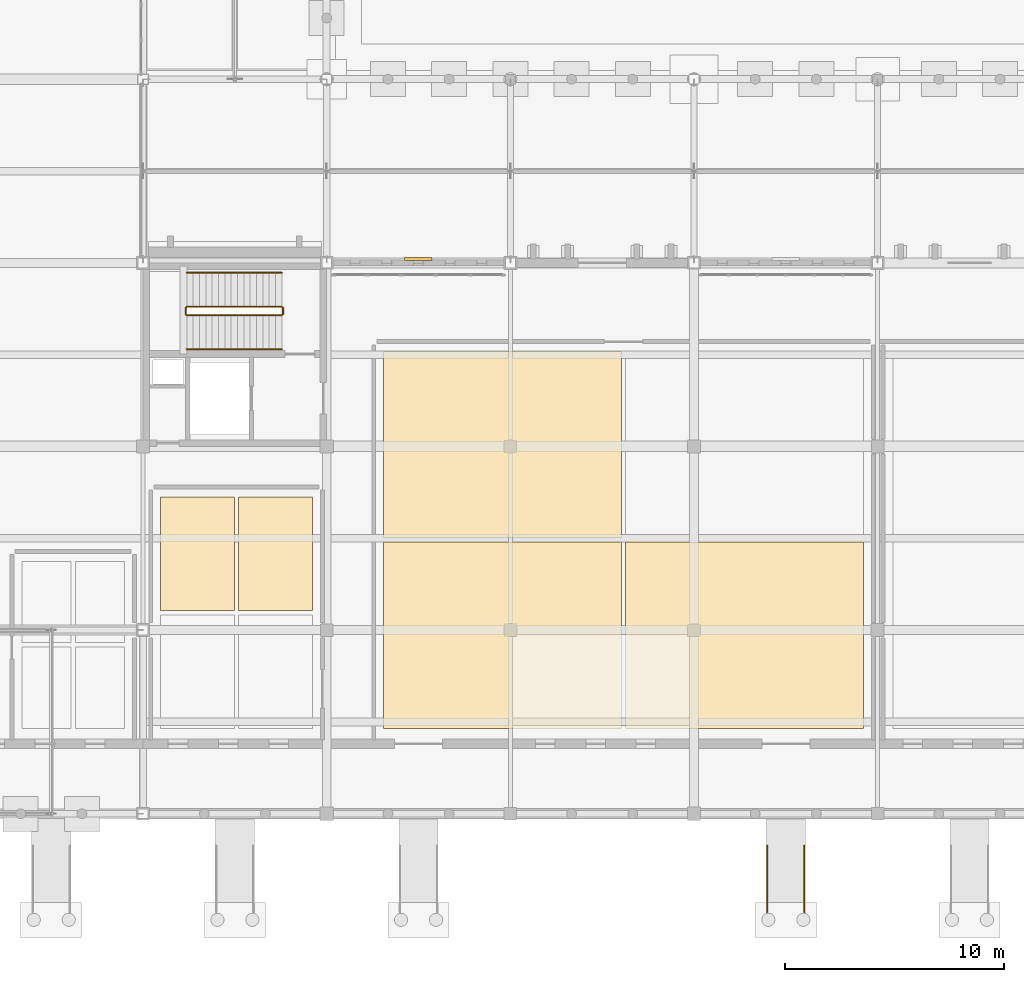
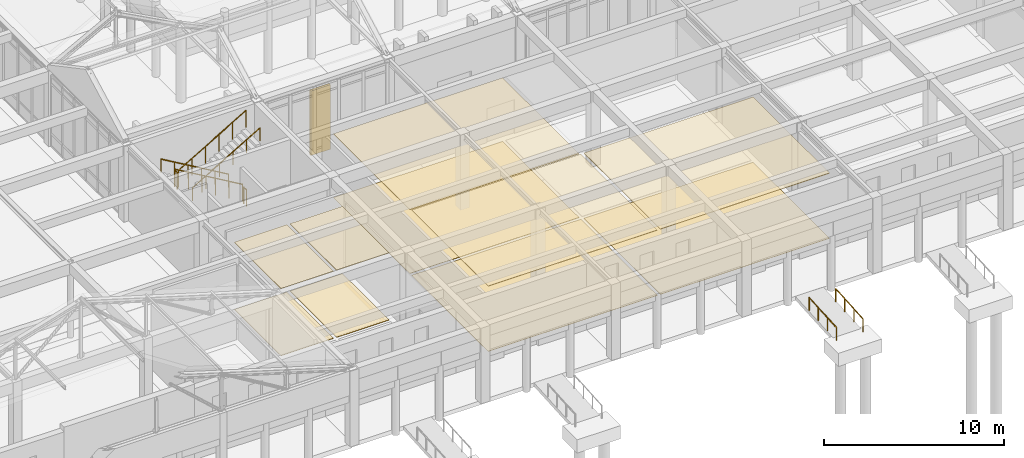
# One storey, part 133 of 143: 10 coverings, 8 railings, 1 shading device.
"""IFC4 building model written with IfcOpenShell, lengths in metres."""

from ifc_helpers import new_model, si_unit, direction, frame, origin, origin_2d, place, context, subcontext, project, spatial, rectangle, circle, extrude, material, layer, layer_set, type_object, element, save


model = new_model("IFC4")

# Units and contexts
model_context = context("Model", 3, precision=1e-05, world=origin(), true_north=direction((0.0, 1.0)))
body_context = subcontext(model_context, "Body", "Model", "MODEL_VIEW")
ifc_project = project(units=[si_unit("LENGTHUNIT", "METRE"), si_unit("AREAUNIT", "SQUARE_METRE"), si_unit("VOLUMEUNIT", "CUBIC_METRE"), si_unit("PLANEANGLEUNIT", "RADIAN"), si_unit("MASSUNIT", "GRAM", prefix="KILO")], contexts=[model_context])

# Site, building, storey
site_placement = place(None, origin())
site = spatial("IfcSite", under=ifc_project, at=site_placement, CompositionType="ELEMENT")
building_placement = place(site_placement, origin())
building = spatial("IfcBuilding", under=site, at=building_placement, Name="Kveldsbrygga Polytechnic", CompositionType="ELEMENT")
storey_placement = place(building_placement, origin())
storey = spatial("IfcBuildingStorey", under=building, at=storey_placement, Name="L00", CompositionType="ELEMENT", Elevation=0.0)

# Coverings
ifc_material_1 = material(Name="Acoustic oak timber slat ceiling", Category="wood")
ifc_layer_1 = layer(ifc_material_1, 0.0400390625)
ifc_layer_set_1 = layer_set([ifc_layer_1], Name="Acoustic oak timber slat ceiling")
covering_type_1 = type_object("IfcCoveringType", Name="COV-CEIL-WD40", PredefinedType="CEILING", material=ifc_layer_set_1)
for number, where, z_axis, x_axis, name in (
    (1, (78.08740234375, 11.89990234375, 4.550048828125), (0.0, 0.0, 1.0), (1.0, 0.0, 0.0), "Acoustic Ceiling SP-L00-REFECW-WN"),
    (2, (81.66259765625, 11.89990234375, 4.550048828125), (0.0, 0.0, 1.0), (1.0, 0.0, 0.0), "Acoustic Ceiling SP-L00-REFECW-EN"),
):
    element("IfcCovering", number, at=place(storey_placement, frame(where, z_axis=z_axis, x_axis=x_axis)), inside=storey, type_object=covering_type_1, Name=name, PredefinedType="CEILING", context=body_context, shape_type="SweptSolid", body=[
        extrude(rectangle(XDim=3.375, YDim=5.199951171875, at=origin_2d()), origin(), (0.0, 0.0, 1.0), 0.0400390625),
    ])
for number, where, z_axis, x_axis, name in (
    (3, (92.03759765625, 8.16259765625, 4.419921875), (0.0, 0.0, 1.0), (1.0, 0.0, 0.0), "Acoustic Ceiling SP-L00-REFEC-WS"),
    (4, (92.03759765625, 16.887451171875, 4.320068359375), (0.0, 0.0, 1.0), (1.0, 0.0, 0.0), "Acoustic Ceiling SP-L00-REFEC-WN"),
    (5, (103.112548828125, 8.16259765625, 4.419921875), (0.0, 0.0, 1.0), (1.0, 0.0, 0.0), "Acoustic Ceiling SP-L00-REFEC-ES"),
):
    element("IfcCovering", number, at=place(storey_placement, frame(where, z_axis=z_axis, x_axis=x_axis)), inside=storey, type_object=covering_type_1, Name=name, PredefinedType="CEILING", context=body_context, shape_type="SweptSolid", body=[
        extrude(rectangle(XDim=10.875, YDim=8.52490234375, at=origin_2d()), origin(), (0.0, 0.0, 1.0), 0.0400390625),
    ])
ifc_material_2 = material(Name="Acoustic oak timber flooring", Category="wood")
ifc_layer_2 = layer(ifc_material_2, 0.02197265625)
ifc_layer_set_2 = layer_set([ifc_layer_2], Name="Acoustic oak timber flooring")
covering_type_2 = type_object("IfcCoveringType", Name="COV-FLR-OAK22", PredefinedType="FLOORING", material=ifc_layer_set_2)
for number, where, z_axis, x_axis, name in (
    (6, (78.08740234375, 11.89990234375, 0.0), (0.0, 0.0, 1.0), (1.0, 0.0, 0.0), "Room Flooring SP-L00-REFECW-WN"),
    (7, (81.66259765625, 11.89990234375, 0.0), (0.0, 0.0, 1.0), (1.0, 0.0, 0.0), "Room Flooring SP-L00-REFECW-EN"),
):
    element("IfcCovering", number, at=place(storey_placement, frame(where, z_axis=z_axis, x_axis=x_axis)), inside=storey, type_object=covering_type_2, Name=name, PredefinedType="FLOORING", context=body_context, shape_type="SweptSolid", body=[
        extrude(rectangle(XDim=3.375, YDim=5.199951171875, at=origin_2d()), origin(), (0.0, 0.0, 1.0), 0.02197265625),
    ])
for number, where, z_axis, x_axis, name in (
    (8, (92.03759765625, 8.16259765625, 0.0), (0.0, 0.0, 1.0), (1.0, 0.0, 0.0), "Room Flooring SP-L00-REFEC-WS"),
    (9, (92.03759765625, 16.887451171875, 0.0), (0.0, 0.0, 1.0), (1.0, 0.0, 0.0), "Room Flooring SP-L00-REFEC-WN"),
    (10, (103.112548828125, 8.16259765625, 0.0), (0.0, 0.0, 1.0), (1.0, 0.0, 0.0), "Room Flooring SP-L00-REFEC-ES"),
):
    element("IfcCovering", number, at=place(storey_placement, frame(where, z_axis=z_axis, x_axis=x_axis)), inside=storey, type_object=covering_type_2, Name=name, PredefinedType="FLOORING", context=body_context, shape_type="SweptSolid", body=[
        extrude(rectangle(XDim=10.875, YDim=8.52490234375, at=origin_2d()), origin(), (0.0, 0.0, 1.0), 0.02197265625),
    ])

# Railings
ifc_material_3 = material(Name="Steel S355", Category="steel")
railing_type_1 = type_object("IfcRailingType", Name="GRD-EXT-120", PredefinedType="GUARDRAIL", material=ifc_material_3)
for number, where, name in (
    (11, (104.14990234375, -4.5, -0.300048828125), "Ramp Handrail RMP-04-L"),
    (12, (105.85009765625, -4.5, -0.300048828125), "Ramp Handrail RMP-04-R"),
):
    element("IfcRailing", number, at=place(storey_placement, frame(where)), inside=storey, type_object=railing_type_1, Name=name, PredefinedType="GUARDRAIL", context=body_context, shape_type="SweptSolid", body=[
        extrude(circle(Radius=0.02392578125, at=origin_2d()), frame((0.0, 0.0, 0.8759765625), z_axis=(0.0, 0.997789749648, 0.066450097791), x_axis=(-1.0, 0.0, 0.0)), (0.0, 0.0, 1.0), 3.056884765625),
        extrude(circle(Radius=0.02099609375, at=origin_2d()), origin(), (0.0, 0.0, 1.0), 0.847900390625),
        extrude(circle(Radius=0.02099609375, at=origin_2d()), frame((0.0, 1.0166015625, 0.067626953125)), (0.0, 0.0, 1.0), 0.847900390625),
        extrude(circle(Radius=0.02099609375, at=origin_2d()), frame((0.0, 2.033447265625, 0.135498046875)), (0.0, 0.0, 1.0), 0.847900390625),
        extrude(circle(Radius=0.02099609375, at=origin_2d()), frame((0.0, 3.050048828125, 0.203125)), (0.0, 0.0, 1.0), 0.847900390625),
    ])
railing_type_2 = type_object("IfcRailingType", Name="RL-STAIR-GRD", PredefinedType="GUARDRAIL", material=ifc_material_3)
railing_1_placement = place(storey_placement, frame((81.949951171875, 23.199951171875, 0.169921875)))
element("IfcRailing", 13, at=railing_1_placement, inside=storey, type_object=railing_type_2, Name="L00 ST-6 stair guard 1", PredefinedType="GUARDRAIL", context=body_context, shape_type="SweptSolid", body=[
    extrude(circle(Radius=0.02392578125, at=origin_2d()), frame((0.0, 0.0, 1.1259765625), z_axis=(-0.862686314962, 0.0, 0.505739381477), x_axis=(0.0, -1.0, 0.0)), (0.0, 0.0, 1.0), 5.042236328125),
    extrude(circle(Radius=0.02099609375, at=origin_2d()), origin(), (0.0, 0.0, 1.0), 1.097900390625),
    extrude(circle(Radius=0.02099609375, at=origin_2d()), frame((-0.869873046875, 0.0, 0.510009765625)), (0.0, 0.0, 1.0), 1.097900390625),
    extrude(circle(Radius=0.02099609375, at=origin_2d()), frame((-1.739990234375, 0.0, 1.02001953125)), (0.0, 0.0, 1.0), 1.097900390625),
    extrude(circle(Radius=0.02099609375, at=origin_2d()), frame((-2.60986328125, 0.0, 1.530029296875)), (0.0, 0.0, 1.0), 1.097900390625),
    extrude(circle(Radius=0.02099609375, at=origin_2d()), frame((-3.47998046875, 0.0, 2.0400390625)), (0.0, 0.0, 1.0), 1.097900390625),
    extrude(circle(Radius=0.02099609375, at=origin_2d()), frame((-4.349853515625, 0.0, 2.550048828125)), (0.0, 0.0, 1.0), 1.097900390625),
])
railing_2_placement = place(storey_placement, frame((77.550048828125, 23.14990234375, 2.719970703125)))
element("IfcRailing", 14, at=railing_2_placement, inside=storey, type_object=railing_type_2, Name="L00 ST-6 stair guard 2", PredefinedType="GUARDRAIL", context=body_context, shape_type="SweptSolid", body=[
    extrude(circle(Radius=0.02392578125, at=origin_2d()), frame((0.0, 0.0, 1.1259765625), z_axis=(0.0, -1.0, 0.0), x_axis=(1.0, 0.0, 0.0)), (0.0, 0.0, 1.0), 0.2998046875),
    extrude(circle(Radius=0.02099609375, at=origin_2d()), origin(), (0.0, 0.0, 1.0), 1.097900390625),
    extrude(circle(Radius=0.02099609375, at=origin_2d()), frame((0.0, -0.2998046875, 0.0)), (0.0, 0.0, 1.0), 1.097900390625),
])
railing_3_placement = place(storey_placement, frame((77.60009765625, 22.800048828125, 2.889892578125)))
element("IfcRailing", 15, at=railing_3_placement, inside=storey, type_object=railing_type_2, Name="L00 ST-6 stair guard 3", PredefinedType="GUARDRAIL", context=body_context, shape_type="SweptSolid", body=[
    extrude(circle(Radius=0.02392578125, at=origin_2d()), frame((0.0, 0.0, 1.1259765625), z_axis=(0.862686314962, 0.0, 0.505739381477), x_axis=(0.0, 1.0, 0.0)), (0.0, 0.0, 1.0), 5.042236328125),
    extrude(circle(Radius=0.02099609375, at=origin_2d()), origin(), (0.0, 0.0, 1.0), 1.097900390625),
    extrude(circle(Radius=0.02099609375, at=origin_2d()), frame((0.869873046875, 0.0, 0.510009765625)), (0.0, 0.0, 1.0), 1.097900390625),
    extrude(circle(Radius=0.02099609375, at=origin_2d()), frame((1.739990234375, 0.0, 1.02001953125)), (0.0, 0.0, 1.0), 1.097900390625),
    extrude(circle(Radius=0.02099609375, at=origin_2d()), frame((2.60986328125, 0.0, 1.530029296875)), (0.0, 0.0, 1.0), 1.097900390625),
    extrude(circle(Radius=0.02099609375, at=origin_2d()), frame((3.47998046875, 0.0, 2.0400390625)), (0.0, 0.0, 1.0), 1.097900390625),
    extrude(circle(Radius=0.02099609375, at=origin_2d()), frame((4.349853515625, 0.0, 2.550048828125)), (0.0, 0.0, 1.0), 1.097900390625),
])
railing_4_placement = place(storey_placement, frame((82.0, 23.14990234375, 0.0)))
element("IfcRailing", 16, at=railing_4_placement, inside=storey, type_object=railing_type_2, Name="L00 ST-6 stair guard 4", PredefinedType="GUARDRAIL", context=body_context, shape_type="SweptSolid", body=[
    extrude(circle(Radius=0.02392578125, at=origin_2d()), frame((0.0, 0.0, 1.1259765625), z_axis=(0.0, -1.0, 0.0), x_axis=(1.0, 0.0, 0.0)), (0.0, 0.0, 1.0), 0.2998046875),
    extrude(circle(Radius=0.02099609375, at=origin_2d()), origin(), (0.0, 0.0, 1.0), 1.097900390625),
    extrude(circle(Radius=0.02099609375, at=origin_2d()), frame((0.0, -0.2998046875, 0.0)), (0.0, 0.0, 1.0), 1.097900390625),
])
railing_type_3 = type_object("IfcRailingType", Name="RL-STAIR-HND", PredefinedType="HANDRAIL", material=ifc_material_3)
railing_5_placement = place(storey_placement, frame((81.949951171875, 24.75, 0.169921875)))
element("IfcRailing", 17, at=railing_5_placement, inside=storey, type_object=railing_type_3, Name="L00 ST-6 stair handrail 1", PredefinedType="HANDRAIL", context=body_context, shape_type="SweptSolid", body=[
    extrude(circle(Radius=0.02392578125, at=origin_2d()), frame((0.0, 0.0, 0.8759765625), z_axis=(-0.862686314962, 0.0, 0.505739381477), x_axis=(0.0, -1.0, 0.0)), (0.0, 0.0, 1.0), 5.042236328125),
    extrude(circle(Radius=0.02099609375, at=origin_2d()), origin(), (0.0, 0.0, 1.0), 0.847900390625),
    extrude(circle(Radius=0.02099609375, at=origin_2d()), frame((-0.869873046875, 0.0, 0.510009765625)), (0.0, 0.0, 1.0), 0.847900390625),
    extrude(circle(Radius=0.02099609375, at=origin_2d()), frame((-1.739990234375, 0.0, 1.02001953125)), (0.0, 0.0, 1.0), 0.847900390625),
    extrude(circle(Radius=0.02099609375, at=origin_2d()), frame((-2.60986328125, 0.0, 1.530029296875)), (0.0, 0.0, 1.0), 0.847900390625),
    extrude(circle(Radius=0.02099609375, at=origin_2d()), frame((-3.47998046875, 0.0, 2.0400390625)), (0.0, 0.0, 1.0), 0.847900390625),
    extrude(circle(Radius=0.02099609375, at=origin_2d()), frame((-4.349853515625, 0.0, 2.550048828125)), (0.0, 0.0, 1.0), 0.847900390625),
])
railing_6_placement = place(storey_placement, frame((77.60009765625, 21.25, 2.889892578125)))
element("IfcRailing", 18, at=railing_6_placement, inside=storey, type_object=railing_type_3, Name="L00 ST-6 stair handrail 2", PredefinedType="HANDRAIL", context=body_context, shape_type="SweptSolid", body=[
    extrude(circle(Radius=0.02392578125, at=origin_2d()), frame((0.0, 0.0, 0.8759765625), z_axis=(0.862686314962, 0.0, 0.505739381477), x_axis=(0.0, 1.0, 0.0)), (0.0, 0.0, 1.0), 5.042236328125),
    extrude(circle(Radius=0.02099609375, at=origin_2d()), origin(), (0.0, 0.0, 1.0), 0.847900390625),
    extrude(circle(Radius=0.02099609375, at=origin_2d()), frame((0.869873046875, 0.0, 0.510009765625)), (0.0, 0.0, 1.0), 0.847900390625),
    extrude(circle(Radius=0.02099609375, at=origin_2d()), frame((1.739990234375, 0.0, 1.02001953125)), (0.0, 0.0, 1.0), 0.847900390625),
    extrude(circle(Radius=0.02099609375, at=origin_2d()), frame((2.60986328125, 0.0, 1.530029296875)), (0.0, 0.0, 1.0), 0.847900390625),
    extrude(circle(Radius=0.02099609375, at=origin_2d()), frame((3.47998046875, 0.0, 2.0400390625)), (0.0, 0.0, 1.0), 0.847900390625),
    extrude(circle(Radius=0.02099609375, at=origin_2d()), frame((4.349853515625, 0.0, 2.550048828125)), (0.0, 0.0, 1.0), 0.847900390625),
])

# Shading device
ifc_material_4 = material(Name="Fired clay brick masonry M10", Category="masonry")
ifc_layer_3 = layer(ifc_material_4, 0.139892578125)
ifc_layer_set_3 = layer_set([ifc_layer_3], Name="Fired clay brick masonry M10")
shading_device_type = type_object("IfcShadingDeviceType", Name="SCR-BRICK-1400", PredefinedType="SHUTTER", material=ifc_layer_set_3)
shading_device_placement = place(storey_placement, frame((88.195068359375, 25.3798828125, 0.0), z_axis=(0.0, 0.0, 1.0), x_axis=(1.0, 0.0, 0.0)))
element("IfcShadingDevice", 19, at=shading_device_placement, inside=storey, type_object=shading_device_type, Name="Perforated Brick Screen Hood L00-X-10-03", PredefinedType="SHUTTER", context=body_context, shape_type="SweptSolid", body=[
    extrude(rectangle(XDim=1.260009765625, YDim=0.139892578125, at=origin_2d()), origin(), (0.0, 0.0, 1.0), 4.389892578125),
])

save(model, "model.ifc")
